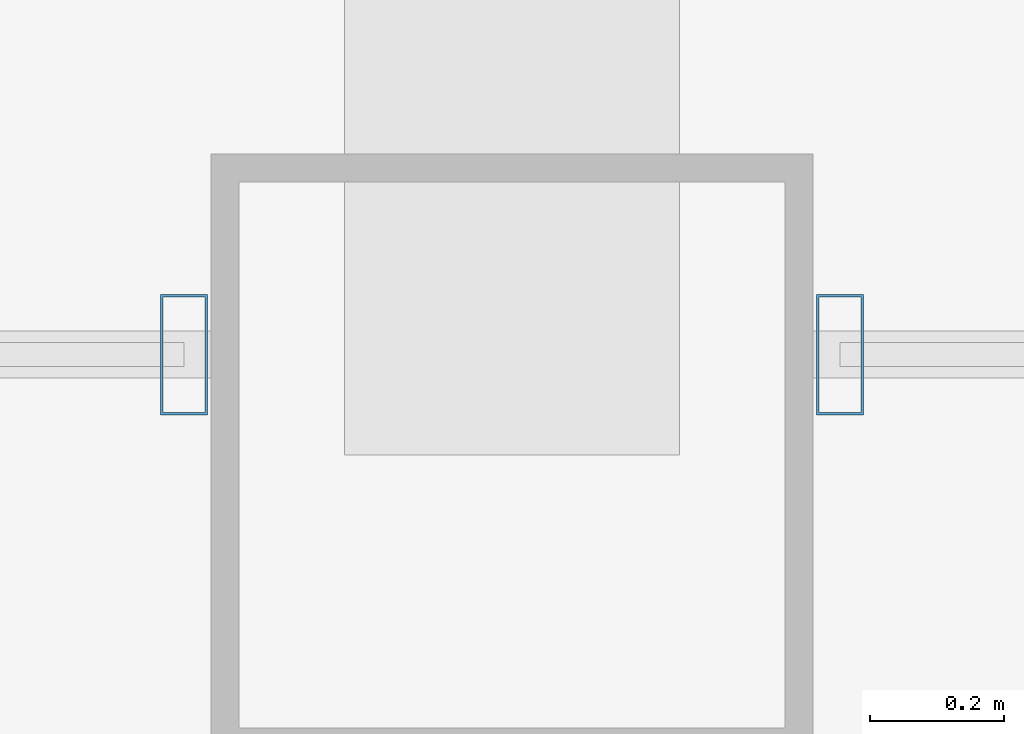
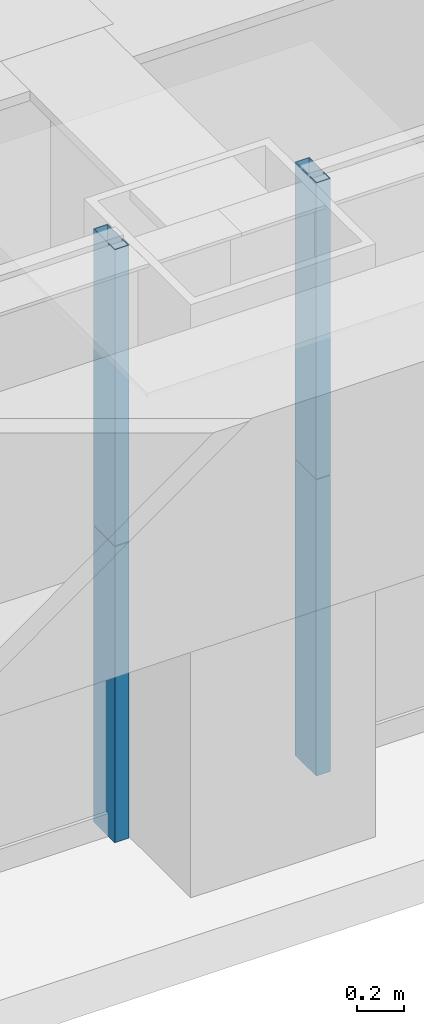
# One storey, part 10 of 45: 4 members, 2 elements without a shape of their own.
"""IFC4 building model written with IfcOpenShell, lengths in metres."""

from ifc_helpers import new_model, si_unit, direction, frame, origin, origin_2d, place, context, subcontext, project, spatial, hollow_rectangle, extrude, source, transform, mapped, material, layer, layer_set, material_profile, profile_set, type_object, element, aggregate, save


model = new_model("IFC4")

# Units and contexts
model_context = context("Model", 3, precision=1e-05, world=origin(), true_north=direction((0.0, 1.0)))
body_context = subcontext(model_context, "Body", "Model", "MODEL_VIEW")
ifc_project = project(units=[si_unit("LENGTHUNIT", "METRE"), si_unit("AREAUNIT", "SQUARE_METRE"), si_unit("VOLUMEUNIT", "CUBIC_METRE"), si_unit("PLANEANGLEUNIT", "RADIAN"), si_unit("MASSUNIT", "GRAM", prefix="KILO"), si_unit("THERMODYNAMICTEMPERATUREUNIT", "KELVIN"), si_unit("POWERUNIT", "WATT")], contexts=[model_context])

# Site, building, storey
site_placement = place(None, origin())
site = spatial("IfcSite", under=ifc_project, at=site_placement, CompositionType="ELEMENT")
building_placement = place(site_placement, origin())
building = spatial("IfcBuilding", under=site, at=building_placement, Name="Yuzanri Waterfront Tower", CompositionType="ELEMENT")
storey_placement = place(building_placement, frame((0.0, 0.0, 163.199951171875)))
storey = spatial("IfcBuildingStorey", under=building, at=storey_placement, Name="L43", CompositionType="ELEMENT", Elevation=163.199951171875)

# Curtain wall, members
ifc_material_1 = material(Name="Anodized Architectural Bronze", Category="metal")
ifc_layer = layer(ifc_material_1, 0.159912109375)
ifc_layer_set = layer_set([ifc_layer], Name="Anodized Architectural Bronze")
curtain_wall_type = type_object("IfcCurtainWallType", Name="Anodized Bronze Hotel Upper-Tier Solar-Control Unitized Curtain Wall 7800", PredefinedType="NOTDEFINED", material=ifc_layer_set)
curtain_wall_1_placement = place(storey_placement, origin())
curtain_wall_1 = element("IfcCurtainWall", 1, at=curtain_wall_1_placement, inside=storey, type_object=curtain_wall_type, Name="L43 Curtain Wall CW-L43-SL", PredefinedType="NOTDEFINED")
ifc_material_2 = material(Name="Anodized Architectural Bronze", Category="metal")
ifc_material_profile = material_profile(ifc_material_2, hollow_rectangle(XDim=0.070068359375, YDim=0.179931640625, WallThickness=0.00390625, at=origin_2d()), Name="CWM 70x180")
ifc_profile_set = profile_set([ifc_material_profile], Name="Anodized Architectural Bronze")
member_type = type_object("IfcMemberType", Name="Anodized Bronze Standard Curtain-Wall Mullion 70x180", PredefinedType="MULLION", material=ifc_profile_set)
shared_shape = source(origin(), body_context, "Body", "SweptSolid", [
    extrude(hollow_rectangle(XDim=0.070068359375, YDim=0.179931640625, WallThickness=0.00390625, at=origin_2d()), origin(), (0.0, 0.0, 1.0), 1.52294921875),
])
member_1_placement = place(storey_placement, frame((36.510009765625, 2.35009765625, 0.0), z_axis=(0.0, 0.0, 1.0), x_axis=(1.0, 0.0, 0.0)))
member_1 = element("IfcMember", 2, at=member_1_placement, type_object=member_type, Name="CW-L43-SL Lower Mullion 02", PredefinedType="MULLION", context=body_context, shape_type="MappedRepresentation", body=[
    mapped(shared_shape, transform((0.0, 0.0, 0.0), scale=1.0)),
])
member_2_placement = place(storey_placement, frame((36.510009765625, 2.35009765625, 1.527099609375), z_axis=(0.0, 0.0, 1.0), x_axis=(1.0, 0.0, 0.0)))
member_2 = element("IfcMember", 3, at=member_2_placement, type_object=member_type, Name="CW-L43-SL Upper Mullion 02", PredefinedType="MULLION", context=body_context, shape_type="MappedRepresentation", body=[
    mapped(shared_shape, transform((0.0, 0.0, 0.0), scale=1.0)),
])
aggregate(curtain_wall_1, [member_1, member_2])

curtain_wall_2_placement = place(storey_placement, origin())
curtain_wall_2 = element("IfcCurtainWall", 4, at=curtain_wall_2_placement, inside=storey, type_object=curtain_wall_type, Name="L43 Curtain Wall CW-L43-SR", PredefinedType="NOTDEFINED")
member_3_placement = place(storey_placement, frame((37.489990234375, 2.35009765625, 0.0), z_axis=(0.0, 0.0, 1.0), x_axis=(1.0, 0.0, 0.0)))
member_3 = element("IfcMember", 5, at=member_3_placement, type_object=member_type, Name="CW-L43-SR Lower Mullion 00", PredefinedType="MULLION", context=body_context, shape_type="MappedRepresentation", body=[
    mapped(shared_shape, transform((0.0, 0.0, 0.0), scale=1.0)),
])
member_4_placement = place(storey_placement, frame((37.489990234375, 2.35009765625, 1.527099609375), z_axis=(0.0, 0.0, 1.0), x_axis=(1.0, 0.0, 0.0)))
member_4 = element("IfcMember", 6, at=member_4_placement, type_object=member_type, Name="CW-L43-SR Upper Mullion 00", PredefinedType="MULLION", context=body_context, shape_type="MappedRepresentation", body=[
    mapped(shared_shape, transform((0.0, 0.0, 0.0), scale=1.0)),
])
aggregate(curtain_wall_2, [member_3, member_4])

save(model, "model.ifc")
